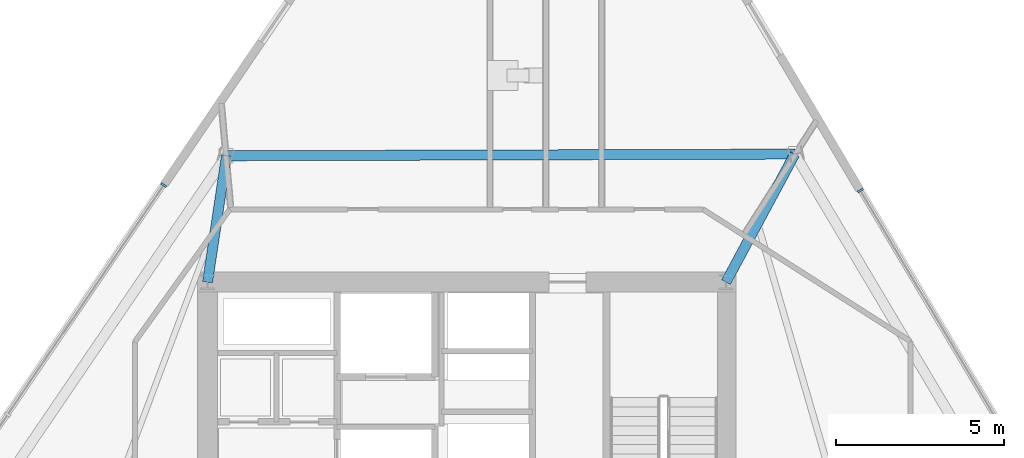
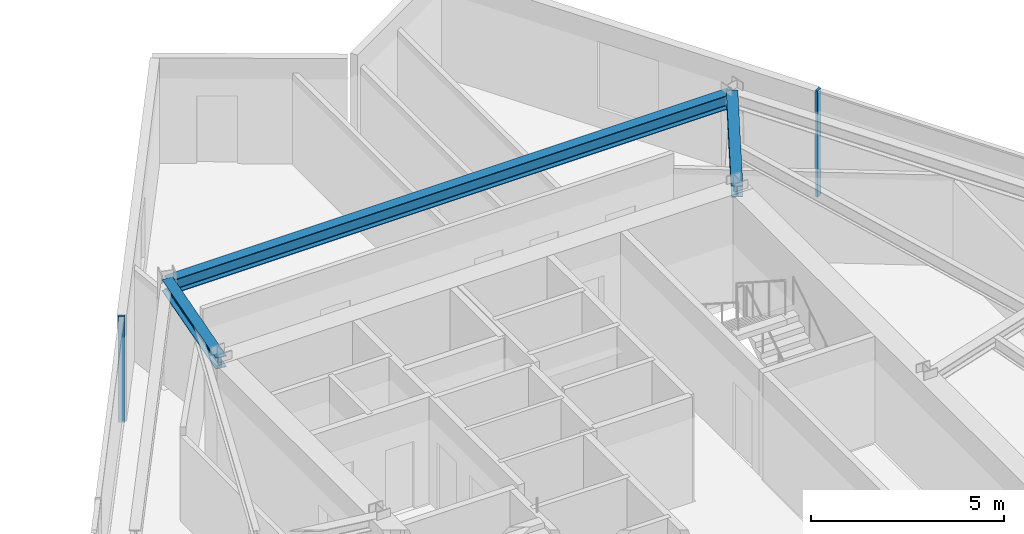
# One storey, part 6 of 15: 3 beams, 2 members, 2 elements without a shape of their own.
"""IFC4 building model written with IfcOpenShell, lengths in metres."""

from ifc_helpers import new_model, si_unit, direction, frame, origin, origin_2d, place, context, subcontext, project, spatial, rectangle, i_section, extrude, material, material_profile, profile_set, type_object, element, aggregate, save


model = new_model("IFC4")

# Units and contexts
model_context = context("Model", 3, precision=1e-05, world=origin(), true_north=direction((0.0, 1.0)))
body_context = subcontext(model_context, "Body", "Model", "MODEL_VIEW")
ifc_project = project(units=[si_unit("LENGTHUNIT", "METRE"), si_unit("AREAUNIT", "SQUARE_METRE"), si_unit("VOLUMEUNIT", "CUBIC_METRE"), si_unit("PLANEANGLEUNIT", "RADIAN"), si_unit("MASSUNIT", "GRAM", prefix="KILO")], contexts=[model_context])

# Site, building, storey
site_placement = place(None, origin())
site = spatial("IfcSite", under=ifc_project, at=site_placement, CompositionType="ELEMENT")
building_placement = place(site_placement, origin())
building = spatial("IfcBuilding", under=site, at=building_placement, Name="Savorim Split Tower", CompositionType="ELEMENT")
storey_placement = place(building_placement, frame((0.0, 0.0, 122.10009765625)))
storey = spatial("IfcBuildingStorey", under=building, at=storey_placement, Name="L32", CompositionType="ELEMENT", Elevation=122.10009765625)

# Beams
ifc_material_1 = material(Name="Steel S355", Category="steel")
ifc_material_profile_1 = material_profile(ifc_material_1, i_section(OverallWidth=0.300048828125, OverallDepth=0.360107421875, WebThickness=0.012451171875, FlangeThickness=0.0224609375, FilletRadius=0.027099609375, at=origin_2d()), Name="HEB 360")
ifc_profile_set_1 = profile_set([ifc_material_profile_1], Name="Steel S355")
beam_type_1 = type_object("IfcBeamType", Name="BM-PRI-HEB360", PredefinedType="BEAM", material=ifc_profile_set_1)
beam_1_placement = place(storey_placement, frame((9.744384765625, 14.003173828125, 3.169921875), z_axis=(-0.473479304003, -0.880804943606, 0.0), x_axis=(0.880804943606, -0.473479304003, 0.0)))
element("IfcBeam", 1, at=beam_1_placement, inside=storey, type_object=beam_type_1, Name="L32 Primary Floor Girder RG-07", PredefinedType="BEAM", context=body_context, shape_type="SweptSolid", body=[
    extrude(i_section(OverallWidth=0.300048828125, OverallDepth=0.360107421875, WebThickness=0.012451171875, FlangeThickness=0.0224609375, FilletRadius=0.027099609375, at=origin_2d()), origin(), (0.0, 0.0, 1.0), 4.31787109375),
])
beam_2_placement = place(storey_placement, frame((-7.13671875, 13.954345703125, 3.169921875), z_axis=(-0.148359320873, -0.988933522493, 0.0), x_axis=(0.988933522493, -0.148359320873, 0.0)))
element("IfcBeam", 2, at=beam_2_placement, inside=storey, type_object=beam_type_1, Name="L32 Primary Floor Girder RG-08", PredefinedType="BEAM", context=body_context, shape_type="SweptSolid", body=[
    extrude(i_section(OverallWidth=0.300048828125, OverallDepth=0.360107421875, WebThickness=0.012451171875, FlangeThickness=0.0224609375, FilletRadius=0.027099609375, at=origin_2d()), origin(), (0.0, 0.0, 1.0), 3.79638671875),
])
ifc_material_profile_2 = material_profile(ifc_material_1, i_section(OverallWidth=0.300048828125, OverallDepth=0.43994140625, WebThickness=0.011474609375, FlangeThickness=0.02099609375, FilletRadius=0.027099609375, at=origin_2d()), Name="HEA 450")
ifc_profile_set_2 = profile_set([ifc_material_profile_2], Name="Steel S355")
beam_type_2 = type_object("IfcBeamType", Name="BM-SPN-HEA450", PredefinedType="SPANDREL", material=ifc_profile_set_2)
beam_3_placement = place(storey_placement, frame((9.744384765625, 14.003173828125, 3.1298828125), z_axis=(-0.999995816828, -0.002892460241, 0.0), x_axis=(0.002892460241, -0.999995816828, 0.0)))
element("IfcBeam", 3, at=beam_3_placement, inside=storey, type_object=beam_type_2, Name="L32 Perimeter Spandrel Beam 7", PredefinedType="SPANDREL", context=body_context, shape_type="SweptSolid", body=[
    extrude(i_section(OverallWidth=0.300048828125, OverallDepth=0.43994140625, WebThickness=0.011474609375, FlangeThickness=0.02099609375, FilletRadius=0.027099609375, at=origin_2d()), origin(), (0.0, 0.0, 1.0), 16.881103515625),
])

# Curtain wall, member
ifc_material_2 = material(Name="Dark Ceramic-Fritted Insulated Glass", Category="glass")
curtain_wall_type = type_object("IfcCurtainWallType", Name="CW-TWR-FRIT-A", PredefinedType="NOTDEFINED", material=ifc_material_2)
curtain_wall_1_placement = place(storey_placement, origin())
curtain_wall_1 = element("IfcCurtainWall", 4, at=curtain_wall_1_placement, inside=storey, type_object=curtain_wall_type, Name="L32 Curtain Wall CW-L32-EAST", PredefinedType="NOTDEFINED")
ifc_material_3 = material(Name="Charcoal Anodised Aluminium", Category="aluminium")
ifc_material_profile_3 = material_profile(ifc_material_3, rectangle(XDim=0.179931640625, YDim=0.06494140625, at=origin_2d()), Name="ALU-M 180x65")
ifc_profile_set_3 = profile_set([ifc_material_profile_3], Name="Charcoal Anodised Aluminium")
member_type = type_object("IfcMemberType", Name="CWM-180x65", PredefinedType="MULLION", material=ifc_profile_set_3)
member_1_placement = place(storey_placement, frame((11.690185546875, 12.921630859375, 0.0), z_axis=(0.0, 0.0, 1.0), x_axis=(-0.859525409745, -0.51109301502, 0.0)))
member_1 = element("IfcMember", 5, at=member_1_placement, type_object=member_type, Name="CW-02 mullion 5", PredefinedType="MULLION", context=body_context, shape_type="SweptSolid", body=[
    extrude(rectangle(XDim=0.179931640625, YDim=0.06494140625, at=origin_2d()), origin(), (0.0, 0.0, 1.0), 3.349853515625),
])
aggregate(curtain_wall_1, [member_1])

curtain_wall_2_placement = place(storey_placement, origin())
curtain_wall_2 = element("IfcCurtainWall", 6, at=curtain_wall_2_placement, inside=storey, type_object=curtain_wall_type, Name="L32 Curtain Wall CW-L32-WEST", PredefinedType="NOTDEFINED")
member_2_placement = place(storey_placement, frame((-9.002197265625, 13.08154296875, 0.0), z_axis=(0.0, 0.0, 1.0), x_axis=(0.826819959579, -0.562466669628, 0.0)))
member_2 = element("IfcMember", 7, at=member_2_placement, type_object=member_type, Name="CW-02 mullion 1", PredefinedType="MULLION", context=body_context, shape_type="SweptSolid", body=[
    extrude(rectangle(XDim=0.179931640625, YDim=0.06494140625, at=origin_2d()), origin(), (0.0, 0.0, 1.0), 3.349853515625),
])
aggregate(curtain_wall_2, [member_2])

save(model, "model.ifc")
